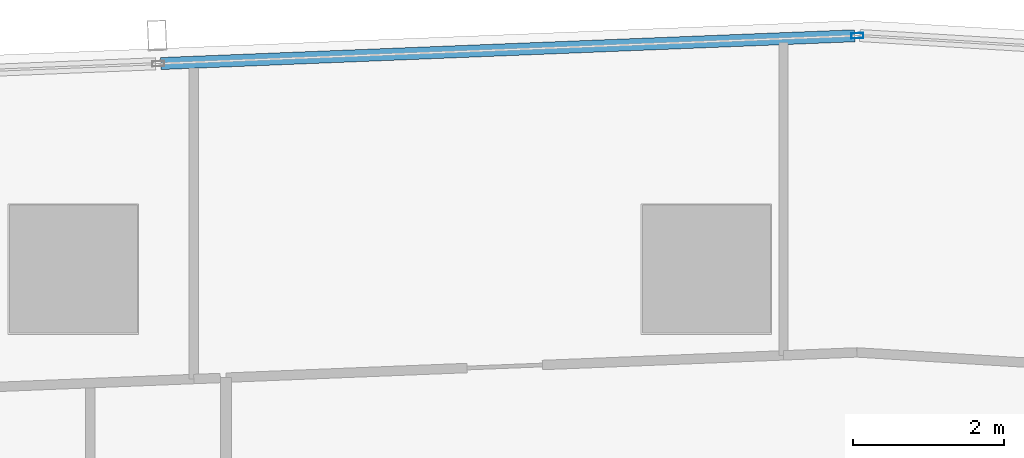
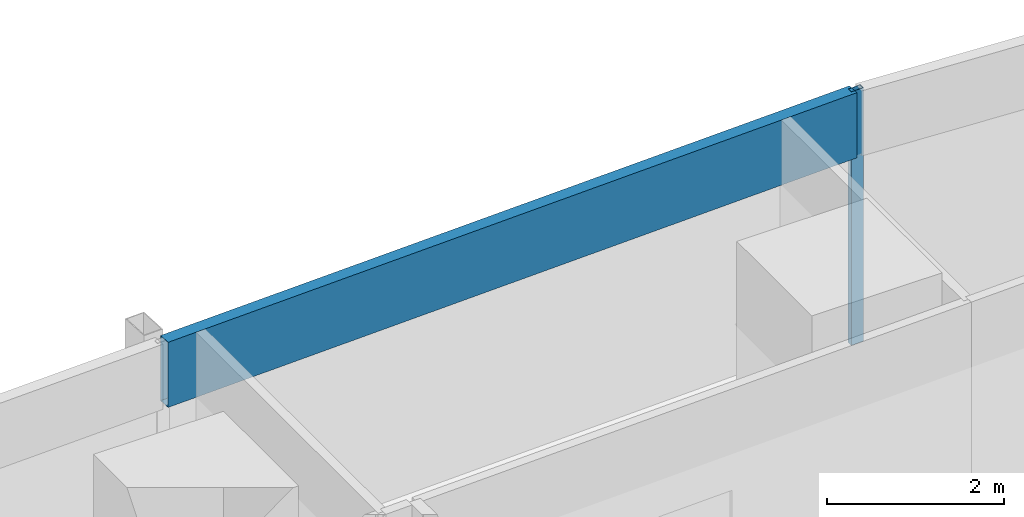
# One storey, part 23 of 40: 2 members, 1 element without a shape of its own.
"""IFC4 building model written with IfcOpenShell, lengths in metres."""

from ifc_helpers import new_model, si_unit, direction, frame, origin, origin_2d, place, context, subcontext, project, spatial, hollow_rectangle, extrude, material, material_profile, profile_set, type_object, element, aggregate, save


model = new_model("IFC4")

# Units and contexts
model_context = context("Model", 3, precision=1e-05, world=origin(), true_north=direction((0.0, 1.0)))
body_context = subcontext(model_context, "Body", "Model", "MODEL_VIEW")
ifc_project = project(units=[si_unit("LENGTHUNIT", "METRE"), si_unit("AREAUNIT", "SQUARE_METRE"), si_unit("VOLUMEUNIT", "CUBIC_METRE"), si_unit("PLANEANGLEUNIT", "RADIAN"), si_unit("MASSUNIT", "GRAM", prefix="KILO")], contexts=[model_context])

# Site, building, storey
site_placement = place(None, origin())
site = spatial("IfcSite", under=ifc_project, at=site_placement, CompositionType="ELEMENT")
building_placement = place(site_placement, origin())
building = spatial("IfcBuilding", under=site, at=building_placement, Name="Rekha Terrace Tower", CompositionType="ELEMENT")
storey_placement = place(building_placement, frame((0.0, 0.0, 129.050048828125)))
storey = spatial("IfcBuildingStorey", under=building, at=storey_placement, Name="L32", CompositionType="ELEMENT", Elevation=129.050048828125)

# Curtain wall, members
ifc_material_1 = material(Name="Aluminium framing", Category="aluminium")
curtain_wall_type = type_object("IfcCurtainWallType", Name="CW3 north unitised glazing", PredefinedType="USERDEFINED", material=ifc_material_1)
curtain_wall_placement = place(storey_placement, origin())
curtain_wall = element("IfcCurtainWall", 1, at=curtain_wall_placement, inside=storey, type_object=curtain_wall_type, Name="CW3 unitised curtain wall", ObjectType="UNITISED CURTAIN WALL", PredefinedType="USERDEFINED")
ifc_material_2 = material(Name="Aluminium mullion section", Category="aluminium")
ifc_material_profile_1 = material_profile(ifc_material_2, hollow_rectangle(XDim=0.070068359375, YDim=0.159912109375, WallThickness=0.00390625, at=origin_2d()), Name="AL RHS 70x160")
ifc_profile_set_1 = profile_set([ifc_material_profile_1], Name="Aluminium mullion section")
member_type_1 = type_object("IfcMemberType", Name="CW3 mullion RHS 70 x 160", PredefinedType="MULLION", material=ifc_profile_set_1)
member_1_placement = place(storey_placement, frame((44.0029296875, 61.8984375, 0.0), z_axis=(0.0, 0.0, 1.0), x_axis=(0.040031987119, -0.999198398721, 0.0)))
member_1 = element("IfcMember", 2, at=member_1_placement, type_object=member_type_1, Name="CW3 mullion 1", PredefinedType="MULLION", context=body_context, shape_type="SweptSolid", body=[
    extrude(hollow_rectangle(XDim=0.070068359375, YDim=0.159912109375, WallThickness=0.00390625, at=origin_2d()), origin(), (0.0, 0.0, 1.0), 3.5),
])
ifc_material_3 = material(Name="Insulated aluminium spandrel box", Category="aluminium")
ifc_material_profile_2 = material_profile(ifc_material_3, hollow_rectangle(XDim=0.159912109375, YDim=0.89990234375, WallThickness=0.0029296875, at=origin_2d()), Name="AL SPANDREL BOX 160x900")
ifc_profile_set_2 = profile_set([ifc_material_profile_2], Name="Insulated aluminium spandrel box")
member_type_2 = type_object("IfcMemberType", Name="CW3 spandrel transom 160 x 900", PredefinedType="USERDEFINED", material=ifc_profile_set_2)
member_2_placement = place(storey_placement, frame((43.968017578125, 61.89697265625, 3.050048828125), z_axis=(-0.999198290018, -0.04003470026, 0.0), x_axis=(0.04003470026, -0.999198290018, 0.0)))
member_2 = element("IfcMember", 3, at=member_2_placement, type_object=member_type_2, Name="CW3 spandrel transom 1", ObjectType="TRANSOM", PredefinedType="USERDEFINED", context=body_context, shape_type="SweptSolid", body=[
    extrude(hollow_rectangle(XDim=0.159912109375, YDim=0.89990234375, WallThickness=0.0029296875, at=origin_2d()), origin(), (0.0, 0.0, 1.0), 9.21435546875),
])
aggregate(curtain_wall, [member_1, member_2])

save(model, "model.ifc")
